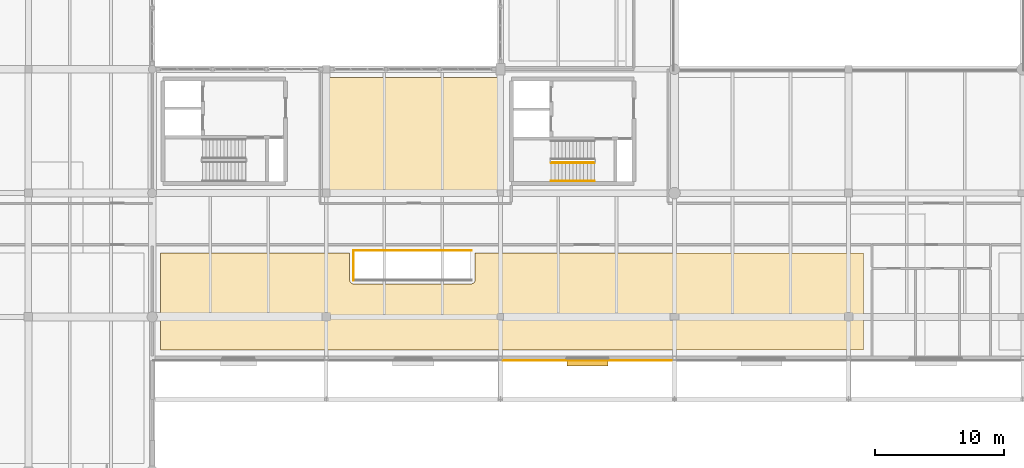
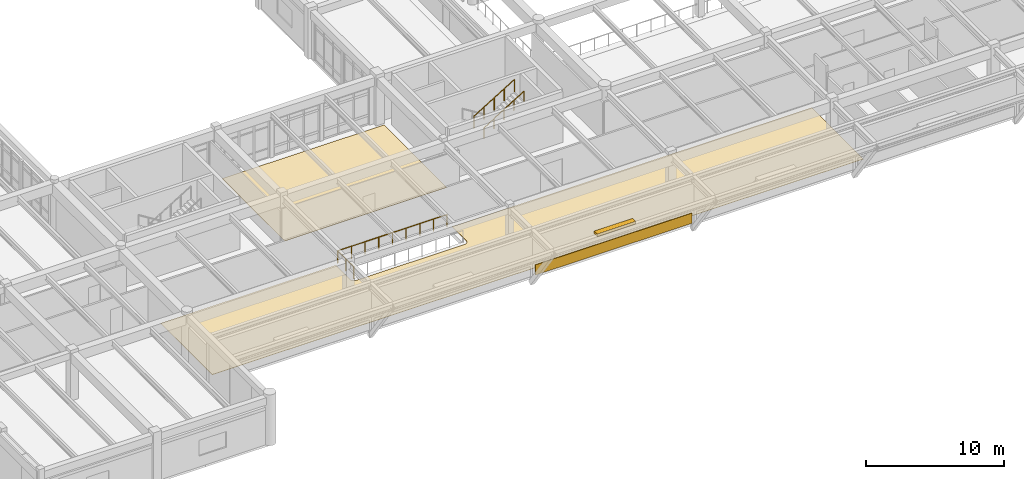
# One storey, part 100 of 109: 4 railings, 3 coverings, 1 shading device.
"""IFC4 building model written with IfcOpenShell, lengths in metres."""

from ifc_helpers import new_model, si_unit, direction, frame, origin, origin_2d, place, context, subcontext, project, spatial, polyline, rectangle, circle, outline, extrude, material, layer, layer_set, type_object, element, save


model = new_model("IFC4")

# Units and contexts
model_context = context("Model", 3, precision=1e-05, world=origin(), true_north=direction((0.0, 1.0)))
body_context = subcontext(model_context, "Body", "Model", "MODEL_VIEW")
ifc_project = project(units=[si_unit("LENGTHUNIT", "METRE"), si_unit("AREAUNIT", "SQUARE_METRE"), si_unit("VOLUMEUNIT", "CUBIC_METRE"), si_unit("PLANEANGLEUNIT", "RADIAN"), si_unit("MASSUNIT", "GRAM", prefix="KILO")], contexts=[model_context])

# Site, building, storey
site_placement = place(None, origin())
site = spatial("IfcSite", under=ifc_project, at=site_placement, CompositionType="ELEMENT")
building_placement = place(site_placement, origin())
building = spatial("IfcBuilding", under=site, at=building_placement, Name="Fikremerkos Civic Library", CompositionType="ELEMENT")
storey_placement = place(building_placement, frame((0.0, 0.0, 5.39990234375)))
storey = spatial("IfcBuildingStorey", under=building, at=storey_placement, Name="L01", CompositionType="ELEMENT", Elevation=5.39990234375)

# Shading device
ifc_material_1 = material(Name="Bronze anodized aluminium", Category="aluminium")
shading_device_type = type_object("IfcShadingDeviceType", Name="Horizontal sun-control louvre bank SHD-01", PredefinedType="JALOUSIE", material=ifc_material_1)
shading_device_placement = place(storey_placement, frame((52.949951171875, 8.419921875, 1.97021484375), z_axis=(0.0, 0.0, 1.0), x_axis=(1.0, 0.0, 0.0)))
element("IfcShadingDevice", 1, at=shading_device_placement, inside=storey, type_object=shading_device_type, Name="Sun-control louvre hood SHD-01 L01 #27", PredefinedType="JALOUSIE", context=body_context, shape_type="SweptSolid", body=[
    extrude(rectangle(XDim=3.199951171875, YDim=0.449951171875, at=origin_2d()), origin(), (0.0, 0.0, 1.0), 0.219970703125),
])

# Railings
ifc_material_2 = material(Name="Painted Steel S275", Category="steel")
railing_type_1 = type_object("IfcRailingType", Name="Interior balustrade guard RLG-INT 1100", PredefinedType="BALUSTRADE", material=ifc_material_2)
railing_1_placement = place(storey_placement, frame((50.139892578125, 23.949951171875, 2.423095703125)))
element("IfcRailing", 2, at=railing_1_placement, inside=storey, type_object=railing_type_1, Name="L01 ST-K3 stair guard 3", PredefinedType="BALUSTRADE", context=body_context, shape_type="SweptSolid", body=[
    extrude(circle(Radius=0.02392578125, at=origin_2d()), frame((0.0, 0.0, 1.076171875), z_axis=(0.850623216509, 0.0, 0.525775754039), x_axis=(0.0, 1.0, 0.0)), (0.0, 0.0, 1.0), 3.9501953125),
    extrude(circle(Radius=0.02099609375, at=origin_2d()), origin(), (0.0, 0.0, 1.0), 1.052001953125),
    extrude(circle(Radius=0.02099609375, at=origin_2d()), frame((0.840087890625, 0.0, 0.519287109375)), (0.0, 0.0, 1.0), 1.052001953125),
    extrude(circle(Radius=0.02099609375, at=origin_2d()), frame((1.68017578125, 0.0, 1.03857421875)), (0.0, 0.0, 1.0), 1.052001953125),
    extrude(circle(Radius=0.02099609375, at=origin_2d()), frame((2.52001953125, 0.0, 1.5576171875)), (0.0, 0.0, 1.0), 1.052001953125),
    extrude(circle(Radius=0.02099609375, at=origin_2d()), frame((3.360107421875, 0.0, 2.076904296875)), (0.0, 0.0, 1.0), 1.052001953125),
])
railing_2_placement = place(storey_placement, frame((34.800048828125, 14.840087890625, 0.0)))
element("IfcRailing", 3, at=railing_2_placement, inside=storey, type_object=railing_type_1, Name="ST29 upper void guard W", PredefinedType="BALUSTRADE", context=body_context, shape_type="SweptSolid", body=[
    extrude(circle(Radius=0.02392578125, at=origin_2d()), frame((0.0, 0.0, 1.076171875), z_axis=(0.0, 1.0, 0.0), x_axis=(-1.0, 0.0, 0.0)), (0.0, 0.0, 1.0), 2.31982421875),
    extrude(circle(Radius=0.02099609375, at=origin_2d()), origin(), (0.0, 0.0, 1.0), 1.052001953125),
    extrude(circle(Radius=0.02099609375, at=origin_2d()), frame((0.0, 1.159912109375, 0.0)), (0.0, 0.0, 1.0), 1.052001953125),
    extrude(circle(Radius=0.02099609375, at=origin_2d()), frame((0.0, 2.31982421875, 0.0)), (0.0, 0.0, 1.0), 1.052001953125),
])
railing_3_placement = place(storey_placement, frame((34.800048828125, 17.159912109375, 0.0)))
element("IfcRailing", 4, at=railing_3_placement, inside=storey, type_object=railing_type_1, Name="ST29 upper void guard N", PredefinedType="BALUSTRADE", context=body_context, shape_type="SweptSolid", body=[
    extrude(circle(Radius=0.02392578125, at=origin_2d()), frame((0.0, 0.0, 1.076171875), z_axis=(1.0, 0.0, 0.0), x_axis=(0.0, 1.0, 0.0)), (0.0, 0.0, 1.0), 9.159912109375),
    extrude(circle(Radius=0.02099609375, at=origin_2d()), origin(), (0.0, 0.0, 1.0), 1.052001953125),
    extrude(circle(Radius=0.02099609375, at=origin_2d()), frame((1.14501953125, 0.0, 0.0)), (0.0, 0.0, 1.0), 1.052001953125),
    extrude(circle(Radius=0.02099609375, at=origin_2d()), frame((2.2900390625, 0.0, 0.0)), (0.0, 0.0, 1.0), 1.052001953125),
    extrude(circle(Radius=0.02099609375, at=origin_2d()), frame((3.43505859375, 0.0, 0.0)), (0.0, 0.0, 1.0), 1.052001953125),
    extrude(circle(Radius=0.02099609375, at=origin_2d()), frame((4.580078125, 0.0, 0.0)), (0.0, 0.0, 1.0), 1.052001953125),
    extrude(circle(Radius=0.02099609375, at=origin_2d()), frame((5.724853515625, 0.0, 0.0)), (0.0, 0.0, 1.0), 1.052001953125),
    extrude(circle(Radius=0.02099609375, at=origin_2d()), frame((6.869873046875, 0.0, 0.0)), (0.0, 0.0, 1.0), 1.052001953125),
    extrude(circle(Radius=0.02099609375, at=origin_2d()), frame((8.014892578125, 0.0, 0.0)), (0.0, 0.0, 1.0), 1.052001953125),
    extrude(circle(Radius=0.02099609375, at=origin_2d()), frame((9.159912109375, 0.0, 0.0)), (0.0, 0.0, 1.0), 1.052001953125),
])

# Coverings
ifc_material_3 = material(Name="Polished basalt terrazzo", Category="masonry")
ifc_layer_1 = layer(ifc_material_3, 0.030029296875, Name="Polished basalt terrazzo")
ifc_layer_set_1 = layer_set([ifc_layer_1], Name="Polished basalt terrazzo")
covering_type_1 = type_object("IfcCoveringType", Name="Polished basalt terrazzo flooring FLR-01", PredefinedType="FLOORING", material=ifc_layer_set_1)
covering_1_placement = place(storey_placement, origin())
element("IfcCovering", 5, at=covering_1_placement, inside=storey, type_object=covering_type_1, Name="Terrazzo floor finish Humanities Reading Room", PredefinedType="FLOORING", context=body_context, shape_type="SweptSolid", body=[
    extrude(outline(polyline([(34.510009765625, 16.949951171875), (34.510009765625, 14.89990234375), (34.51171875, 14.86572265625), (34.5166015625, 14.831787109375), (34.525146484375, 14.79833984375), (34.53662109375, 14.76611328125), (34.55126953125, 14.735107421875), (34.569091796875, 14.70556640625), (34.58935546875, 14.677978515625), (34.612548828125, 14.652587890625), (34.637939453125, 14.62939453125), (34.66552734375, 14.60888671875), (34.695068359375, 14.59130859375), (34.72607421875, 14.57666015625), (34.75830078125, 14.565185546875), (34.791748046875, 14.556640625), (34.82568359375, 14.5517578125), (34.860107421875, 14.550048828125), (43.89990234375, 14.550048828125), (43.934326171875, 14.5517578125), (43.96826171875, 14.556640625), (44.001708984375, 14.565185546875), (44.033935546875, 14.57666015625), (44.06494140625, 14.59130859375), (44.094482421875, 14.60888671875), (44.1220703125, 14.62939453125), (44.1474609375, 14.652587890625), (44.170654296875, 14.677978515625), (44.19091796875, 14.70556640625), (44.208740234375, 14.735107421875), (44.223388671875, 14.76611328125), (44.23486328125, 14.79833984375), (44.243408203125, 14.831787109375), (44.248291015625, 14.86572265625), (44.25, 14.89990234375), (44.25, 16.949951171875), (74.35009765625, 16.949951171875), (74.35009765625, 9.449951171875), (19.85009765625, 9.449951171875), (19.85009765625, 16.949951171875), (34.510009765625, 16.949951171875)])), origin(), (0.0, 0.0, 1.0), 0.030029296875),
])
covering_2_placement = place(storey_placement, origin())
element("IfcCovering", 6, at=covering_2_placement, inside=storey, type_object=covering_type_1, Name="Terrazzo floor finish Group Study Rooms L01", PredefinedType="FLOORING", context=body_context, shape_type="SweptSolid", body=[
    extrude(outline(polyline([(46.39990234375, 30.550048828125), (46.39990234375, 21.449951171875), (32.85009765625, 21.449951171875), (32.85009765625, 30.550048828125), (46.39990234375, 30.550048828125)])), origin(), (0.0, 0.0, 1.0), 0.030029296875),
])
ifc_material_4 = material(Name="Precast concrete C40/50", Category="concrete")
ifc_layer_2 = layer(ifc_material_4, 0.044921875, Name="Precast concrete C40/50")
ifc_layer_set_2 = layer_set([ifc_layer_2], Name="Precast concrete C40/50")
covering_type_2 = type_object("IfcCoveringType", Name="Precast basalt facade cladding CLD-01", PredefinedType="CLADDING", material=ifc_layer_set_2)
covering_3_placement = place(storey_placement, frame((52.949951171875, 8.617919921875, 0.050048828125), z_axis=(0.0, 0.0, 1.0), x_axis=(1.0, 0.0, 0.0)))
element("IfcCovering", 7, at=covering_3_placement, inside=storey, type_object=covering_type_2, Name="Basalt spandrel cladding CLD-01 L01 #5", PredefinedType="CLADDING", context=body_context, shape_type="SweptSolid", body=[
    extrude(rectangle(XDim=13.095947265625, YDim=0.044921875, at=origin_2d()), origin(), (0.0, 0.0, 1.0), 0.89990234375),
])

# Railing
ifc_material_5 = material(Name="Brushed stainless steel", Category="steel")
railing_type_2 = type_object("IfcRailingType", Name="Wall and flight handrail HRL-01 900", PredefinedType="HANDRAIL", material=ifc_material_5)
railing_4_placement = place(storey_placement, frame((50.139892578125, 22.550048828125, 2.423095703125)))
element("IfcRailing", 8, at=railing_4_placement, inside=storey, type_object=railing_type_2, Name="L01 ST-K3 stair handrail 2", PredefinedType="HANDRAIL", context=body_context, shape_type="SweptSolid", body=[
    extrude(circle(Radius=0.02392578125, at=origin_2d()), frame((0.0, 0.0, 0.8759765625), z_axis=(0.850623216509, 0.0, 0.525775754039), x_axis=(0.0, 1.0, 0.0)), (0.0, 0.0, 1.0), 3.9501953125),
    extrude(circle(Radius=0.02099609375, at=origin_2d()), origin(), (0.0, 0.0, 1.0), 0.851806640625),
    extrude(circle(Radius=0.02099609375, at=origin_2d()), frame((0.840087890625, 0.0, 0.519287109375)), (0.0, 0.0, 1.0), 0.851806640625),
    extrude(circle(Radius=0.02099609375, at=origin_2d()), frame((1.68017578125, 0.0, 1.03857421875)), (0.0, 0.0, 1.0), 0.851806640625),
    extrude(circle(Radius=0.02099609375, at=origin_2d()), frame((2.52001953125, 0.0, 1.5576171875)), (0.0, 0.0, 1.0), 0.851806640625),
    extrude(circle(Radius=0.02099609375, at=origin_2d()), frame((3.360107421875, 0.0, 2.076904296875)), (0.0, 0.0, 1.0), 0.851806640625),
])

save(model, "model.ifc")
